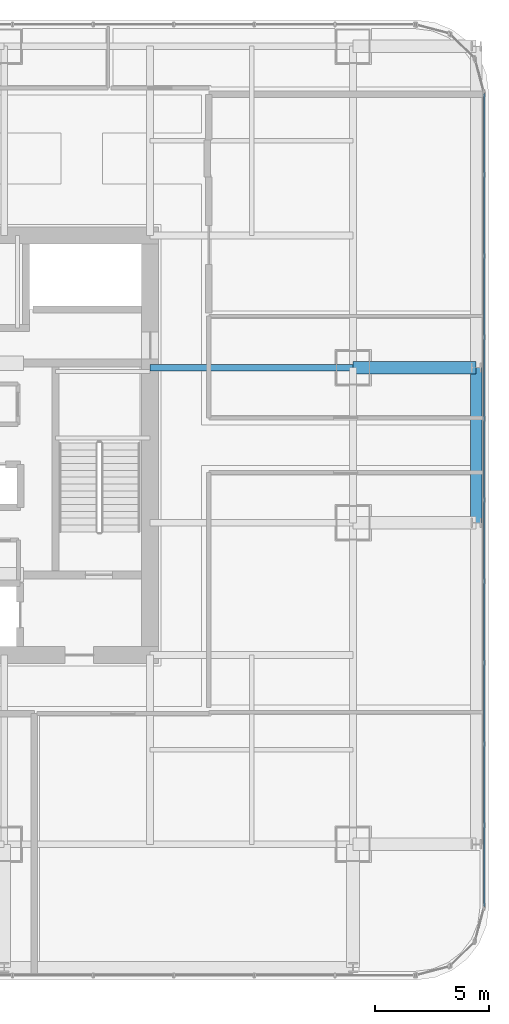
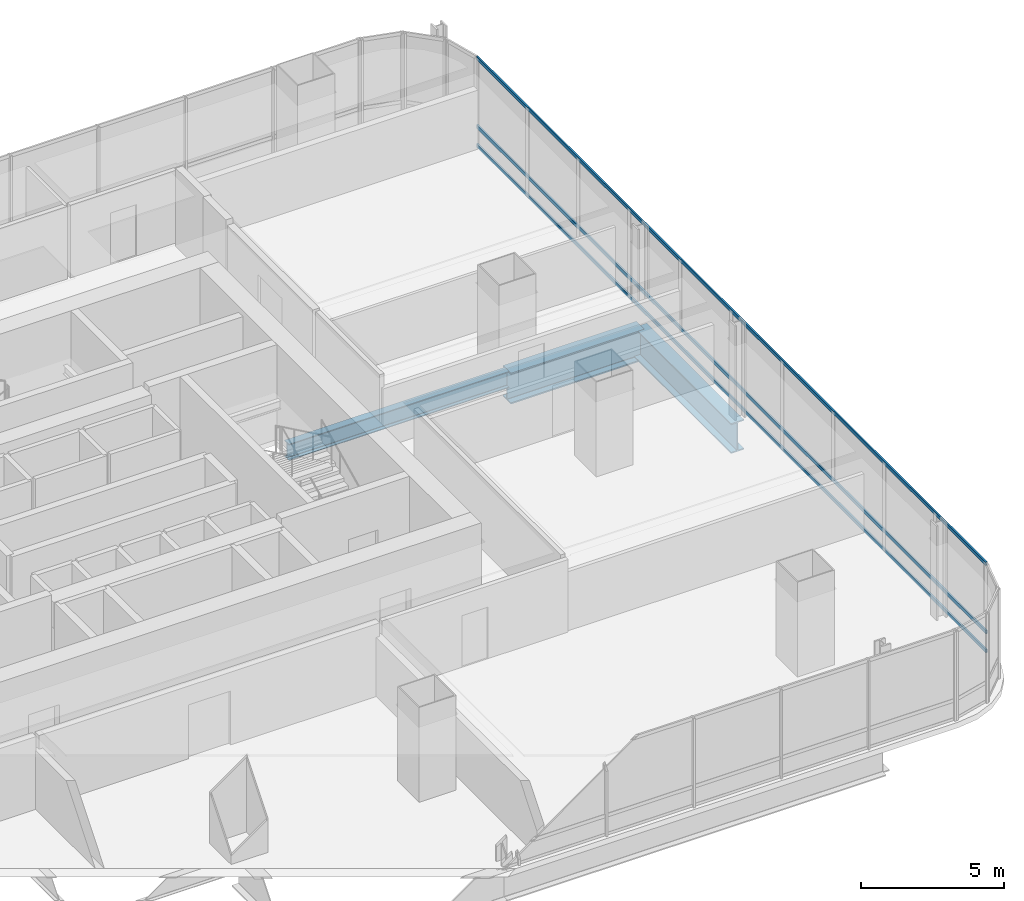
# One storey, part 16 of 34: 3 beams, 3 members, 1 element without a shape of its own.
"""IFC4 building model written with IfcOpenShell, lengths in metres."""

from ifc_helpers import new_model, si_unit, direction, frame, origin, origin_2d, place, context, subcontext, project, spatial, hollow_rectangle, i_section, extrude, material, material_profile, profile_set, type_object, element, aggregate, save


model = new_model("IFC4")

# Units and contexts
model_context = context("Model", 3, precision=1e-05, world=origin(), true_north=direction((0.0, 1.0)))
body_context = subcontext(model_context, "Body", "Model", "MODEL_VIEW")
ifc_project = project(units=[si_unit("LENGTHUNIT", "METRE"), si_unit("AREAUNIT", "SQUARE_METRE"), si_unit("VOLUMEUNIT", "CUBIC_METRE"), si_unit("PLANEANGLEUNIT", "RADIAN"), si_unit("MASSUNIT", "GRAM", prefix="KILO")], contexts=[model_context])

# Site, building, storey
site_placement = place(None, origin())
site = spatial("IfcSite", under=ifc_project, at=site_placement, CompositionType="ELEMENT")
building_placement = place(site_placement, origin())
building = spatial("IfcBuilding", under=site, at=building_placement, Name="Punatoya Terracotta Tower", CompositionType="ELEMENT")
storey_placement = place(building_placement, frame((0.0, 0.0, 80.85009765625)))
storey = spatial("IfcBuildingStorey", under=building, at=storey_placement, Name="L18", CompositionType="ELEMENT", Elevation=80.85009765625)

# Beams
ifc_material_1 = material(Name="Steel S355", Category="steel")
ifc_material_profile_1 = material_profile(ifc_material_1, i_section(OverallWidth=0.300048828125, OverallDepth=0.699951171875, WebThickness=0.01708984375, FlangeThickness=0.031982421875, FilletRadius=0.01806640625, at=origin_2d()))
ifc_profile_set_1 = profile_set([ifc_material_profile_1], Name="Steel S355")
beam_type_1 = type_object("IfcBeamType", Name="BM-PRI-700", PredefinedType="BEAM", material=ifc_profile_set_1)
beam_1_placement = place(storey_placement, frame((10.199951171875, 3.39990234375, -0.590087890625), z_axis=(1.0, 0.0, 0.0), x_axis=(0.0, 1.0, 0.0)))
element("IfcBeam", 1, at=beam_1_placement, inside=storey, type_object=beam_type_1, Name="BM-L18-PR-EE", PredefinedType="BEAM", context=body_context, shape_type="SweptSolid", body=[
    extrude(i_section(OverallWidth=0.300048828125, OverallDepth=0.699951171875, WebThickness=0.01708984375, FlangeThickness=0.031982421875, FilletRadius=0.01806640625, at=origin_2d()), origin(), (0.0, 0.0, 1.0), 8.900146484375),
])
ifc_material_2 = material(Name="Steel S460", Category="steel")
ifc_material_profile_2 = material_profile(ifc_material_2, i_section(OverallWidth=0.56005859375, OverallDepth=1.320068359375, WebThickness=0.035888671875, FlangeThickness=0.054931640625, FilletRadius=0.01806640625, at=origin_2d()))
ifc_profile_set_2 = profile_set([ifc_material_profile_2], Name="Steel S460")
beam_type_2 = type_object("IfcBeamType", Name="BM-TG-BLK", PredefinedType="BEAM", material=ifc_profile_set_2)
beam_2_placement = place(storey_placement, frame((19.10009765625, 3.39990234375, -0.900146484375), z_axis=(1.0, 0.0, 0.0), x_axis=(0.0, 1.0, 0.0)))
element("IfcBeam", 2, at=beam_2_placement, inside=storey, type_object=beam_type_2, Name="BM-L18-CANT-E3", PredefinedType="BEAM", context=body_context, shape_type="SweptSolid", body=[
    extrude(i_section(OverallWidth=0.56005859375, OverallDepth=1.320068359375, WebThickness=0.035888671875, FlangeThickness=0.054931640625, FilletRadius=0.01806640625, at=origin_2d()), origin(), (0.0, 0.0, 1.0), 5.39990234375),
])
ifc_material_profile_3 = material_profile(ifc_material_2, i_section(OverallWidth=0.52001953125, OverallDepth=1.280029296875, WebThickness=0.031982421875, FlangeThickness=0.050048828125, FilletRadius=0.01806640625, at=origin_2d()))
ifc_profile_set_3 = profile_set([ifc_material_profile_3], Name="Steel S460")
beam_type_3 = type_object("IfcBeamType", Name="BM-TG-NCK", PredefinedType="BEAM", material=ifc_profile_set_3)
beam_3_placement = place(storey_placement, frame((24.5, -3.39990234375, -0.880126953125), z_axis=(0.0, 1.0, 0.0), x_axis=(-1.0, 0.0, 0.0)))
element("IfcBeam", 3, at=beam_3_placement, inside=storey, type_object=beam_type_3, Name="BM-L18-PER-E2", PredefinedType="BEAM", context=body_context, shape_type="SweptSolid", body=[
    extrude(i_section(OverallWidth=0.52001953125, OverallDepth=1.280029296875, WebThickness=0.031982421875, FlangeThickness=0.050048828125, FilletRadius=0.01806640625, at=origin_2d()), origin(), (0.0, 0.0, 1.0), 6.7998046875),
])

# Curtain wall, members
ifc_material_3 = material(Name="Aluminium 6063-T6 + Double Low-E Glass", Category="aluminium")
curtain_wall_type = type_object("IfcCurtainWallType", Name="CW-M1", PredefinedType="NOTDEFINED", material=ifc_material_3)
curtain_wall_placement = place(storey_placement, origin())
curtain_wall = element("IfcCurtainWall", 4, at=curtain_wall_placement, inside=storey, type_object=curtain_wall_type, Name="L18 Curtain Wall CW-L18-E05-1", PredefinedType="NOTDEFINED")
ifc_material_4 = material(Name="Aluminium 6063-T6", Category="aluminium")
ifc_material_profile_4 = material_profile(ifc_material_4, hollow_rectangle(XDim=0.068115234375, YDim=0.14990234375, WallThickness=0.00390625, at=origin_2d()))
ifc_profile_set_4 = profile_set([ifc_material_profile_4], Name="Aluminium 6063-T6")
member_type = type_object("IfcMemberType", Name="CW-TRN-TYP", PredefinedType="USERDEFINED", material=ifc_profile_set_4)
member_1_placement = place(storey_placement, frame((24.85009765625, -20.23681640625, 0.039794921875), z_axis=(0.0, 1.0, 0.0), x_axis=(-1.0, 0.0, 0.0)))
member_1 = element("IfcMember", 5, at=member_1_placement, type_object=member_type, Name="CW-L18-E05-1 Transom 1", ObjectType="TRANSOM", PredefinedType="USERDEFINED", context=body_context, shape_type="SweptSolid", body=[
    extrude(hollow_rectangle(XDim=0.068115234375, YDim=0.14990234375, WallThickness=0.00390625, at=origin_2d()), origin(), (0.0, 0.0, 1.0), 35.673828125),
])
member_2_placement = place(storey_placement, frame((24.85009765625, -20.23681640625, 0.849853515625), z_axis=(0.0, 1.0, 0.0), x_axis=(-1.0, 0.0, 0.0)))
member_2 = element("IfcMember", 6, at=member_2_placement, type_object=member_type, Name="CW-L18-E05-1 Transom 2", ObjectType="TRANSOM", PredefinedType="USERDEFINED", context=body_context, shape_type="SweptSolid", body=[
    extrude(hollow_rectangle(XDim=0.068115234375, YDim=0.14990234375, WallThickness=0.00390625, at=origin_2d()), origin(), (0.0, 0.0, 1.0), 35.673828125),
])
member_3_placement = place(storey_placement, frame((24.85009765625, -20.23681640625, 3.77001953125), z_axis=(0.0, 1.0, 0.0), x_axis=(-1.0, 0.0, 0.0)))
member_3 = element("IfcMember", 7, at=member_3_placement, type_object=member_type, Name="CW-L18-E05-1 Transom 3", ObjectType="TRANSOM", PredefinedType="USERDEFINED", context=body_context, shape_type="SweptSolid", body=[
    extrude(hollow_rectangle(XDim=0.068115234375, YDim=0.14990234375, WallThickness=0.00390625, at=origin_2d()), origin(), (0.0, 0.0, 1.0), 35.673828125),
])
aggregate(curtain_wall, [member_1, member_2, member_3])

save(model, "model.ifc")
